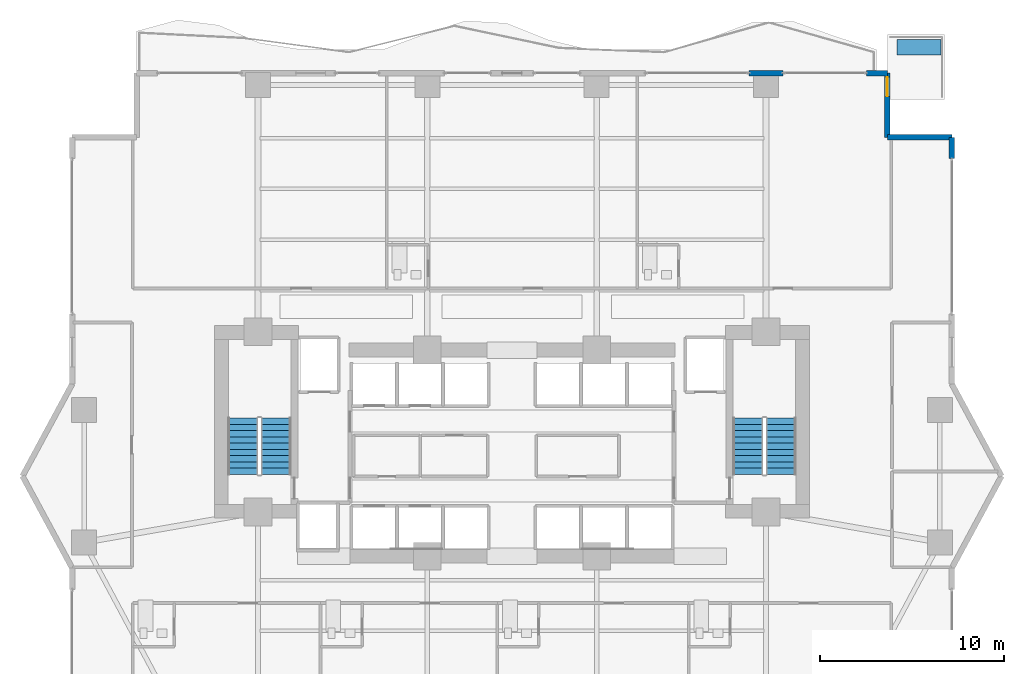
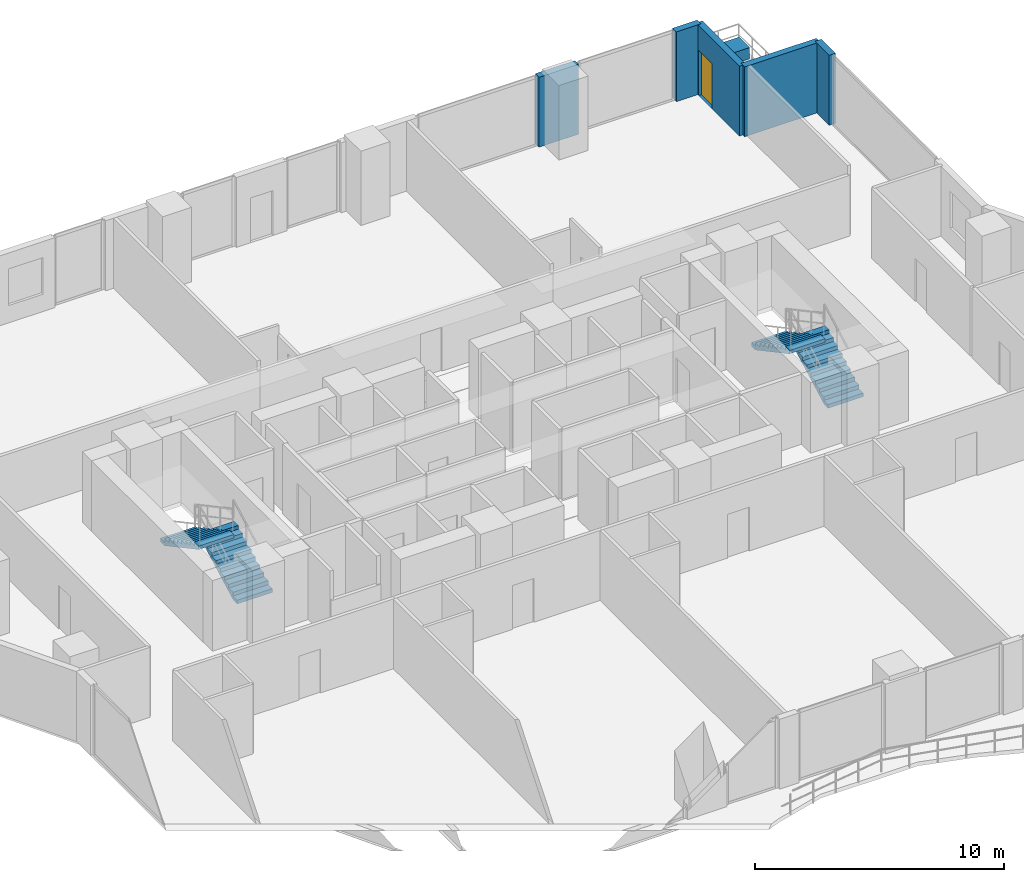
# One storey, part 24 of 28: 5 walls, 4 stair flights, 1 building element part, 1 door, 1 opening, 2 elements without a shape of their own.
"""IFC4 building model written with IfcOpenShell, lengths in metres."""

from ifc_helpers import new_model, si_unit, direction, frame, frame_2d, origin, origin_2d, place, context, subcontext, project, spatial, polyline, rectangle, outline, extrude, material, layer, layer_set, type_object, element, fill, aggregate, save


model = new_model("IFC4")

# Units and contexts
model_context = context("Model", 3, precision=1e-05, world=origin(), true_north=direction((0.0, 1.0)))
body_context = subcontext(model_context, "Body", "Model", "MODEL_VIEW")
ifc_project = project(units=[si_unit("LENGTHUNIT", "METRE"), si_unit("AREAUNIT", "SQUARE_METRE"), si_unit("VOLUMEUNIT", "CUBIC_METRE"), si_unit("PLANEANGLEUNIT", "RADIAN"), si_unit("MASSUNIT", "GRAM", prefix="KILO")], contexts=[model_context])

# Site, building, storey
site_placement = place(None, origin())
site = spatial("IfcSite", under=ifc_project, at=site_placement, CompositionType="ELEMENT")
building_placement = place(site_placement, origin())
building = spatial("IfcBuilding", under=site, at=building_placement, Name="Zuhayl Quay Hotel", CompositionType="ELEMENT")
storey_placement = place(building_placement, frame((0.0, 0.0, 139.449951171875)))
storey = spatial("IfcBuildingStorey", under=building, at=storey_placement, Name="L35", CompositionType="ELEMENT", Elevation=139.449951171875)

# Walls
ifc_material_1 = material(Name="Precast concrete C45/55", Category="concrete")
ifc_layer_1 = layer(ifc_material_1, 0.300048828125, Name="Precast concrete C45/55", Category="concrete")
ifc_layer_set_1 = layer_set([ifc_layer_1], Name="Precast concrete C45/55")
wall_type = type_object("IfcWallType", Name="WL_EXT_300", PredefinedType="STANDARD", material=ifc_layer_set_1)
wall_1_placement = place(storey_placement, frame((12.8798828125, 28.39990234375, 0.0), z_axis=(0.0, 0.0, 1.0), x_axis=(1.0, 0.0, 0.0)))
element("IfcWall", 1, at=wall_1_placement, inside=storey, type_object=wall_type, Name="L35 Exterior Precast Wall ENV_L35_N_EW6", PredefinedType="STANDARD", context=body_context, shape_type="SweptSolid", body=[
    extrude(rectangle(XDim=1.840087890625, YDim=0.300048828125, at=frame_2d((0.919921875, 0.0))), origin(), (0.0, 0.0, 1.0), 3.429931640625),
])
wall_2_placement = place(storey_placement, frame((19.25, 28.39990234375, 0.0), z_axis=(0.0, 0.0, 1.0), x_axis=(1.0, 0.0, 0.0)))
element("IfcWall", 2, at=wall_2_placement, inside=storey, type_object=wall_type, Name="L35 Exterior Precast Wall ENV_L35_N_EW7", PredefinedType="STANDARD", context=body_context, shape_type="SweptSolid", body=[
    extrude(rectangle(XDim=1.14990234375, YDim=0.300048828125, at=frame_2d((0.574951171875, 0.0))), origin(), (0.0, 0.0, 1.0), 3.429931640625),
])

# Wall, opening, door
wall_3_placement = place(storey_placement, frame((20.39990234375, 28.39990234375, 0.0), z_axis=(0.0, 0.0, 1.0), x_axis=(0.0, -1.0, 0.0)))
wall_3 = element("IfcWall", 3, at=wall_3_placement, inside=storey, type_object=wall_type, Name="L35 Exterior Precast Wall ENV_L35_SP_NE", PredefinedType="STANDARD", context=body_context, shape_type="SweptSolid", body=[
    extrude(rectangle(XDim=3.5, YDim=0.300048828125, at=frame_2d((1.75, 0.0))), origin(), (0.0, 0.0, 1.0), 3.429931640625),
])
opening_placement = place(wall_3_placement, frame((0.219970703125, 0.0, 0.0)))
opening = element("IfcOpeningElement", 4, at=opening_placement, cuts=wall_3, Name="Opening DG1", PredefinedType="OPENING", context=body_context, shape_type="SweptSolid", body=[
    extrude(rectangle(XDim=1.050048828125, YDim=2.199951171875, at=frame_2d((0.52490234375, 1.10009765625))), frame((0.0, 0.159912109375, 0.0), z_axis=(0.0, -1.0, 0.0), x_axis=(1.0, 0.0, 0.0)), (0.0, 0.0, 1.0), 0.320068359375),
])
ifc_material_2 = material(Name="Anodised Aluminium and Dark Solar Glass", Category="aluminium")
door_type = type_object("IfcDoorType", Name="DR_EXT_TERR_1050", OperationType="NOTDEFINED", PredefinedType="DOOR", material=ifc_material_2)
door_placement = place(opening_placement, origin())
door = element("IfcDoor", 5, at=door_placement, inside=storey, type_object=door_type, Name="L35 Spiral Sky-Terrace NE Access Door", OperationType="SINGLE_SWING_LEFT", OverallHeight=2.199951171875, OverallWidth=1.050048828125, PredefinedType="DOOR", context=body_context, shape_type="SweptSolid", body=[
    extrude(rectangle(XDim=1.050048828125, YDim=2.199951171875, at=frame_2d((0.52490234375, 1.10009765625))), frame((0.0, 0.02490234375, 0.0), z_axis=(0.0, -1.0, 0.0), x_axis=(1.0, 0.0, 0.0)), (0.0, 0.0, 1.0), 0.050048828125),
])
fill(opening, door)

# Walls
wall_4_placement = place(storey_placement, frame((20.39990234375, 24.89990234375, 0.0), z_axis=(0.0, 0.0, 1.0), x_axis=(1.0, 0.0, 0.0)))
element("IfcWall", 6, at=wall_4_placement, inside=storey, type_object=wall_type, Name="L35 Exterior Precast Wall ENV_L35_EW10", PredefinedType="STANDARD", context=body_context, shape_type="SweptSolid", body=[
    extrude(rectangle(XDim=3.5, YDim=0.300048828125, at=frame_2d((1.75, 0.0))), origin(), (0.0, 0.0, 1.0), 3.429931640625),
])
wall_5_placement = place(storey_placement, frame((23.89990234375, 24.89990234375, 0.0), z_axis=(0.0, 0.0, 1.0), x_axis=(0.0, -1.0, 0.0)))
element("IfcWall", 7, at=wall_5_placement, inside=storey, type_object=wall_type, Name="L35 Exterior Precast Wall ENV_L35_E11_EW1", PredefinedType="STANDARD", context=body_context, shape_type="SweptSolid", body=[
    extrude(rectangle(XDim=1.14990234375, YDim=0.300048828125, at=frame_2d((0.574951171875, 0.0))), origin(), (0.0, 0.0, 1.0), 3.429931640625),
])

# Stair, stair flights
ifc_material_3 = material(Name="Concrete C45/55", Category="concrete")
stair_type = type_object("IfcStairType", Name="ST_DOGLEG_TOWER", PredefinedType="HALF_TURN_STAIR", material=ifc_material_3)
stair_1_placement = place(storey_placement, origin())
stair_1 = element("IfcStair", 8, at=stair_1_placement, inside=storey, type_object=stair_type, Name="L35 Smokeproof Exit Stair ST1", PredefinedType="HALF_TURN_STAIR")
ifc_layer_2 = layer(ifc_material_3, 0.159912109375, Name="Concrete C45/55", Category="concrete")
ifc_layer_set_2 = layer_set([ifc_layer_2], Name="Concrete C45/55")
stair_flight_type = type_object("IfcStairFlightType", Name="SF_CONC_164", PredefinedType="STRAIGHT", material=ifc_layer_set_2)
stair_flight_1_placement = place(storey_placement, frame((-12.820068359375, 6.590087890625, 0.0), z_axis=(0.0, 0.0, 1.0), x_axis=(0.0, 1.0, 0.0)))
stair_flight_1 = element("IfcStairFlight", 9, at=stair_flight_1_placement, type_object=stair_flight_type, Name="ST1 flight 1", NumberOfRisers=10, NumberOfTreads=9, PredefinedType="STRAIGHT", RiserHeight=0.1825, TreadLength=0.34, context=body_context, shape_type="SweptSolid", body=[
    extrude(outline(polyline([(0.0, 0.0), (0.0, 0.1826171875), (0.340087890625, 0.1826171875), (0.340087890625, 0.364990234375), (0.679931640625, 0.364990234375), (0.679931640625, 0.547607421875), (1.02001953125, 0.547607421875), (1.02001953125, 0.72998046875), (1.360107421875, 0.72998046875), (1.360107421875, 0.91259765625), (1.699951171875, 0.91259765625), (1.699951171875, 1.094970703125), (2.0400390625, 1.094970703125), (2.0400390625, 1.277587890625), (2.3798828125, 1.277587890625), (2.3798828125, 1.4599609375), (2.719970703125, 1.4599609375), (2.719970703125, 1.642578125), (3.06005859375, 1.642578125), (3.06005859375, 1.824951171875), (3.06005859375, 1.472412109375), (0.31689453125, 0.0), (0.0, 0.0)])), frame((0.0, 0.81982421875, 0.0), z_axis=(0.0, -1.0, 0.0), x_axis=(1.0, 0.0, 0.0)), (0.0, 0.0, 1.0), 1.639892578125),
])
stair_flight_2_placement = place(storey_placement, frame((-14.610107421875, 9.64990234375, 1.824951171875), z_axis=(0.0, 0.0, 1.0), x_axis=(0.0, -1.0, 0.0)))
stair_flight_2 = element("IfcStairFlight", 10, at=stair_flight_2_placement, type_object=stair_flight_type, Name="ST1 flight 2", NumberOfRisers=10, NumberOfTreads=9, PredefinedType="STRAIGHT", RiserHeight=0.1825, TreadLength=0.34, context=body_context, shape_type="SweptSolid", body=[
    extrude(outline(polyline([(0.0, 0.0), (0.0, 0.1826171875), (0.340087890625, 0.1826171875), (0.340087890625, 0.364990234375), (0.679931640625, 0.364990234375), (0.679931640625, 0.547607421875), (1.02001953125, 0.547607421875), (1.02001953125, 0.72998046875), (1.360107421875, 0.72998046875), (1.360107421875, 0.91259765625), (1.699951171875, 0.91259765625), (1.699951171875, 1.094970703125), (2.0400390625, 1.094970703125), (2.0400390625, 1.277587890625), (2.3798828125, 1.277587890625), (2.3798828125, 1.4599609375), (2.719970703125, 1.4599609375), (2.719970703125, 1.642578125), (3.06005859375, 1.642578125), (3.06005859375, 1.824951171875), (3.06005859375, 1.472412109375), (0.31689453125, 0.0), (0.0, 0.0)])), frame((0.0, 0.81982421875, 0.0), z_axis=(0.0, -1.0, 0.0), x_axis=(1.0, 0.0, 0.0)), (0.0, 0.0, 1.0), 1.639892578125),
])
aggregate(stair_1, [stair_flight_1, stair_flight_2])

stair_2_placement = place(storey_placement, origin())
stair_2 = element("IfcStair", 11, at=stair_2_placement, inside=storey, type_object=stair_type, Name="L35 Smokeproof Exit Stair ST2", PredefinedType="HALF_TURN_STAIR")
stair_flight_3_placement = place(storey_placement, frame((14.610107421875, 6.590087890625, 0.0), z_axis=(0.0, 0.0, 1.0), x_axis=(0.0, 1.0, 0.0)))
stair_flight_3 = element("IfcStairFlight", 12, at=stair_flight_3_placement, type_object=stair_flight_type, Name="ST2 flight 1", NumberOfRisers=10, NumberOfTreads=9, PredefinedType="STRAIGHT", RiserHeight=0.1825, TreadLength=0.34, context=body_context, shape_type="SweptSolid", body=[
    extrude(outline(polyline([(0.0, 0.0), (0.0, 0.1826171875), (0.340087890625, 0.1826171875), (0.340087890625, 0.364990234375), (0.679931640625, 0.364990234375), (0.679931640625, 0.547607421875), (1.02001953125, 0.547607421875), (1.02001953125, 0.72998046875), (1.360107421875, 0.72998046875), (1.360107421875, 0.91259765625), (1.699951171875, 0.91259765625), (1.699951171875, 1.094970703125), (2.0400390625, 1.094970703125), (2.0400390625, 1.277587890625), (2.3798828125, 1.277587890625), (2.3798828125, 1.4599609375), (2.719970703125, 1.4599609375), (2.719970703125, 1.642578125), (3.06005859375, 1.642578125), (3.06005859375, 1.824951171875), (3.06005859375, 1.472412109375), (0.31689453125, 0.0), (0.0, 0.0)])), frame((0.0, 0.81982421875, 0.0), z_axis=(0.0, -1.0, 0.0), x_axis=(1.0, 0.0, 0.0)), (0.0, 0.0, 1.0), 1.639892578125),
])
stair_flight_4_placement = place(storey_placement, frame((12.820068359375, 9.64990234375, 1.824951171875), z_axis=(0.0, 0.0, 1.0), x_axis=(0.0, -1.0, 0.0)))
stair_flight_4 = element("IfcStairFlight", 13, at=stair_flight_4_placement, type_object=stair_flight_type, Name="ST2 flight 2", NumberOfRisers=10, NumberOfTreads=9, PredefinedType="STRAIGHT", RiserHeight=0.1825, TreadLength=0.34, context=body_context, shape_type="SweptSolid", body=[
    extrude(outline(polyline([(0.0, 0.0), (0.0, 0.1826171875), (0.340087890625, 0.1826171875), (0.340087890625, 0.364990234375), (0.679931640625, 0.364990234375), (0.679931640625, 0.547607421875), (1.02001953125, 0.547607421875), (1.02001953125, 0.72998046875), (1.360107421875, 0.72998046875), (1.360107421875, 0.91259765625), (1.699951171875, 0.91259765625), (1.699951171875, 1.094970703125), (2.0400390625, 1.094970703125), (2.0400390625, 1.277587890625), (2.3798828125, 1.277587890625), (2.3798828125, 1.4599609375), (2.719970703125, 1.4599609375), (2.719970703125, 1.642578125), (3.06005859375, 1.642578125), (3.06005859375, 1.824951171875), (3.06005859375, 1.472412109375), (0.31689453125, 0.0), (0.0, 0.0)])), frame((0.0, 0.81982421875, 0.0), z_axis=(0.0, -1.0, 0.0), x_axis=(1.0, 0.0, 0.0)), (0.0, 0.0, 1.0), 1.639892578125),
])
aggregate(stair_2, [stair_flight_3, stair_flight_4])

# Building element part
ifc_layer_3 = layer(ifc_material_1, 0.550048828125, Name="Precast concrete C45/55", Category="concrete")
ifc_layer_set_3 = layer_set([ifc_layer_3], Name="Precast concrete C45/55")
building_element_part_type = type_object("IfcBuildingElementPartType", Name="PT_PLANTER_KERB", PredefinedType="PRECASTPANEL", material=ifc_layer_set_3)
building_element_part_placement = place(storey_placement, frame((22.110107421875, 29.81005859375, 0.0), z_axis=(0.0, 0.0, 1.0), x_axis=(1.0, 0.0, 0.0)))
element("IfcBuildingElementPart", 14, at=building_element_part_placement, inside=storey, type_object=building_element_part_type, Name="L35 Spiral Sky-Terrace Planter Box NE", PredefinedType="PRECASTPANEL", context=body_context, shape_type="SweptSolid", body=[
    extrude(rectangle(XDim=2.39990234375, YDim=0.85009765625, at=origin_2d()), origin(), (0.0, 0.0, 1.0), 0.550048828125),
])

save(model, "model.ifc")
